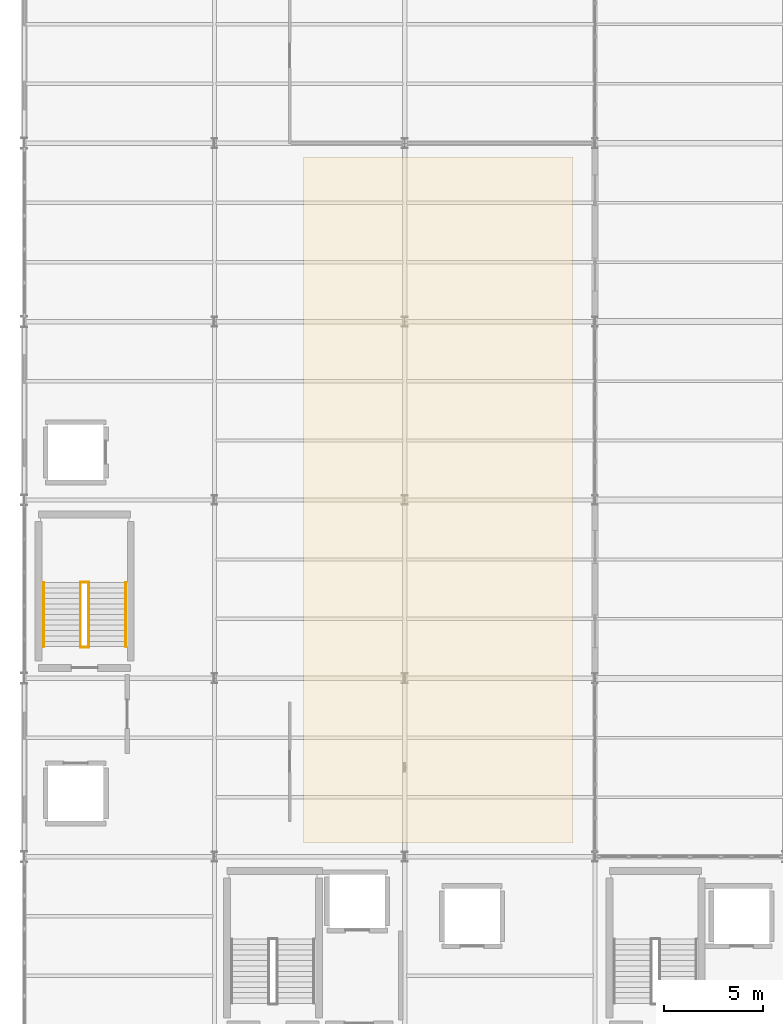
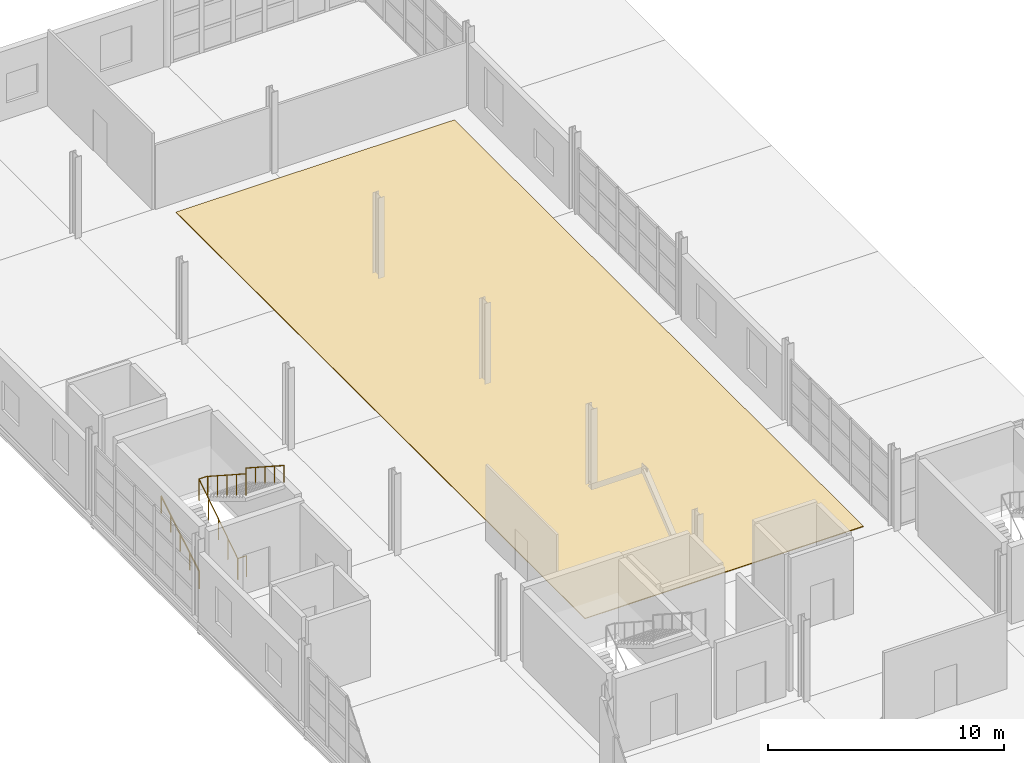
# One storey, part 78 of 82: 6 railings, 1 covering.
"""IFC4 building model written with IfcOpenShell, lengths in metres."""

from ifc_helpers import new_model, si_unit, direction, frame, origin, origin_2d, place, context, subcontext, project, spatial, polyline, circle, outline, extrude, material, layer, layer_set, type_object, element, save


model = new_model("IFC4")

# Units and contexts
model_context = context("Model", 3, precision=1e-05, world=origin(), true_north=direction((0.0, 1.0)))
body_context = subcontext(model_context, "Body", "Model", "MODEL_VIEW")
ifc_project = project(units=[si_unit("LENGTHUNIT", "METRE"), si_unit("AREAUNIT", "SQUARE_METRE"), si_unit("VOLUMEUNIT", "CUBIC_METRE"), si_unit("PLANEANGLEUNIT", "RADIAN"), si_unit("MASSUNIT", "GRAM", prefix="KILO")], contexts=[model_context])

# Site, building, storey
site_placement = place(None, origin())
site = spatial("IfcSite", under=ifc_project, at=site_placement, CompositionType="ELEMENT")
building_placement = place(site_placement, origin())
building = spatial("IfcBuilding", under=site, at=building_placement, Name="Zarnetskaya Central Station", CompositionType="ELEMENT")
storey_placement = place(building_placement, frame((0.0, 0.0, 10.199951171875)))
storey = spatial("IfcBuildingStorey", under=building, at=storey_placement, Name="L02", CompositionType="ELEMENT", Elevation=10.199951171875)

# Covering
ifc_material_1 = material(Name="Granite stone flooring", Category="masonry")
ifc_layer = layer(ifc_material_1, 0.0400390625, Name="Granite stone flooring", Category="masonry")
ifc_layer_set = layer_set([ifc_layer], Name="Granite stone flooring")
covering_type = type_object("IfcCoveringType", Name="COV-GRAN-FLR", PredefinedType="FLOORING", material=ifc_layer_set)
covering_placement = place(storey_placement, origin())
element("IfcCovering", 1, at=covering_placement, inside=storey, type_object=covering_type, Name="Granite terrazzo floor finish L02-421", PredefinedType="FLOORING", context=body_context, shape_type="SweptSolid", body=[
    extrude(outline(polyline([(14.10009765625, 22.89990234375), (27.699951171875, 22.89990234375), (27.699951171875, 57.5), (14.10009765625, 57.5), (14.10009765625, 22.89990234375)])), origin(), (0.0, 0.0, 1.0), 0.0400390625),
])

# Railings
ifc_material_2 = material(Name="Steel S355", Category="steel")
railing_type_1 = type_object("IfcRailingType", Name="RAIL-HAND-900", PredefinedType="HANDRAIL", material=ifc_material_2)
railing_1_placement = place(storey_placement, frame((0.97998046875, 32.800048828125, 0.16162109375)))
element("IfcRailing", 2, at=railing_1_placement, inside=storey, type_object=railing_type_1, Name="Stair ST-C2 L02 flight 1 handrail", PredefinedType="HANDRAIL", context=body_context, shape_type="SweptSolid", body=[
    extrude(circle(Radius=0.02392578125, at=origin_2d()), frame((0.0, 0.0, 0.8759765625), z_axis=(0.0, 0.858136976317, 0.513420811691), x_axis=(-1.0, 0.0, 0.0)), (0.0, 0.0, 1.0), 3.775634765625),
    extrude(circle(Radius=0.02099609375, at=origin_2d()), origin(), (0.0, 0.0, 1.0), 0.851806640625),
    extrude(circle(Radius=0.02099609375, at=origin_2d()), frame((0.0, 0.81005859375, 0.484619140625)), (0.0, 0.0, 1.0), 0.851806640625),
    extrude(circle(Radius=0.02099609375, at=origin_2d()), frame((0.0, 1.6201171875, 0.96923828125)), (0.0, 0.0, 1.0), 0.851806640625),
    extrude(circle(Radius=0.02099609375, at=origin_2d()), frame((0.0, 2.429931640625, 1.453857421875)), (0.0, 0.0, 1.0), 0.851806640625),
    extrude(circle(Radius=0.02099609375, at=origin_2d()), frame((0.0, 3.239990234375, 1.9384765625)), (0.0, 0.0, 1.0), 0.851806640625),
])
railing_2_placement = place(storey_placement, frame((5.1201171875, 36.0400390625, 2.10009765625)))
element("IfcRailing", 3, at=railing_2_placement, inside=storey, type_object=railing_type_1, Name="Stair ST-C2 L02 flight 2 handrail", PredefinedType="HANDRAIL", context=body_context, shape_type="SweptSolid", body=[
    extrude(circle(Radius=0.02392578125, at=origin_2d()), frame((0.0, 0.0, 0.8759765625), z_axis=(0.0, -0.839169554186, 0.543869891911), x_axis=(1.0, 0.0, 0.0)), (0.0, 0.0, 1.0), 3.86083984375),
    extrude(circle(Radius=0.02099609375, at=origin_2d()), origin(), (0.0, 0.0, 1.0), 0.851806640625),
    extrude(circle(Radius=0.02099609375, at=origin_2d()), frame((0.0, -0.81005859375, 0.52490234375)), (0.0, 0.0, 1.0), 0.851806640625),
    extrude(circle(Radius=0.02099609375, at=origin_2d()), frame((0.0, -1.6201171875, 1.0498046875)), (0.0, 0.0, 1.0), 0.851806640625),
    extrude(circle(Radius=0.02099609375, at=origin_2d()), frame((0.0, -2.429931640625, 1.574951171875)), (0.0, 0.0, 1.0), 0.851806640625),
    extrude(circle(Radius=0.02099609375, at=origin_2d()), frame((0.0, -3.239990234375, 2.099853515625)), (0.0, 0.0, 1.0), 0.851806640625),
])
railing_type_2 = type_object("IfcRailingType", Name="RAIL-STAIR-GRD", PredefinedType="BALUSTRADE", material=ifc_material_2)
railing_3_placement = place(storey_placement, frame((2.840087890625, 32.760009765625, 0.0)))
element("IfcRailing", 4, at=railing_3_placement, inside=storey, type_object=railing_type_2, Name="Stair ST-C2 L02 floor well guard", PredefinedType="BALUSTRADE", context=body_context, shape_type="SweptSolid", body=[
    extrude(circle(Radius=0.02392578125, at=origin_2d()), frame((0.0, 0.0, 1.09619140625), z_axis=(1.0, 0.0, 0.0), x_axis=(0.0, 1.0, 0.0)), (0.0, 0.0, 1.0), 0.419921875),
    extrude(circle(Radius=0.02099609375, at=origin_2d()), origin(), (0.0, 0.0, 1.0), 1.072021484375),
    extrude(circle(Radius=0.02099609375, at=origin_2d()), frame((0.419921875, 0.0, 0.0)), (0.0, 0.0, 1.0), 1.072021484375),
])
railing_4_placement = place(storey_placement, frame((2.840087890625, 32.800048828125, 0.0)))
element("IfcRailing", 5, at=railing_4_placement, inside=storey, type_object=railing_type_2, Name="Stair ST-C2 L02 flight 1 well guard", PredefinedType="BALUSTRADE", context=body_context, shape_type="SweptSolid", body=[
    extrude(circle(Radius=0.02392578125, at=origin_2d()), frame((0.0, 0.0, 1.09619140625), z_axis=(0.0, 0.839140694364, 0.543914418877), x_axis=(-1.0, 0.0, 0.0)), (0.0, 0.0, 1.0), 3.861083984375),
    extrude(circle(Radius=0.02099609375, at=origin_2d()), origin(), (0.0, 0.0, 1.0), 1.072021484375),
    extrude(circle(Radius=0.02099609375, at=origin_2d()), frame((0.0, 0.81005859375, 0.52490234375)), (0.0, 0.0, 1.0), 1.072021484375),
    extrude(circle(Radius=0.02099609375, at=origin_2d()), frame((0.0, 1.6201171875, 1.050048828125)), (0.0, 0.0, 1.0), 1.072021484375),
    extrude(circle(Radius=0.02099609375, at=origin_2d()), frame((0.0, 2.429931640625, 1.5751953125)), (0.0, 0.0, 1.0), 1.072021484375),
    extrude(circle(Radius=0.02099609375, at=origin_2d()), frame((0.0, 3.239990234375, 2.10009765625)), (0.0, 0.0, 1.0), 1.072021484375),
])
railing_5_placement = place(storey_placement, frame((2.840087890625, 36.06005859375, 2.10009765625)))
element("IfcRailing", 6, at=railing_5_placement, inside=storey, type_object=railing_type_2, Name="Stair ST-C2 L02 half-landing well guard", PredefinedType="BALUSTRADE", context=body_context, shape_type="SweptSolid", body=[
    extrude(circle(Radius=0.02392578125, at=origin_2d()), frame((0.0, 0.0, 1.09619140625), z_axis=(1.0, 0.0, 0.0), x_axis=(0.0, 1.0, 0.0)), (0.0, 0.0, 1.0), 0.419921875),
    extrude(circle(Radius=0.02099609375, at=origin_2d()), origin(), (0.0, 0.0, 1.0), 1.072021484375),
    extrude(circle(Radius=0.02099609375, at=origin_2d()), frame((0.419921875, 0.0, 0.0)), (0.0, 0.0, 1.0), 1.072021484375),
])
railing_6_placement = place(storey_placement, frame((3.260009765625, 36.0400390625, 2.10009765625)))
element("IfcRailing", 7, at=railing_6_placement, inside=storey, type_object=railing_type_2, Name="Stair ST-C2 L02 flight 2 well guard", PredefinedType="BALUSTRADE", context=body_context, shape_type="SweptSolid", body=[
    extrude(circle(Radius=0.02392578125, at=origin_2d()), frame((0.0, 0.0, 1.09619140625), z_axis=(0.0, -0.839169554186, 0.543869891911), x_axis=(1.0, 0.0, 0.0)), (0.0, 0.0, 1.0), 3.86083984375),
    extrude(circle(Radius=0.02099609375, at=origin_2d()), origin(), (0.0, 0.0, 1.0), 1.072021484375),
    extrude(circle(Radius=0.02099609375, at=origin_2d()), frame((0.0, -0.81005859375, 0.52490234375)), (0.0, 0.0, 1.0), 1.072021484375),
    extrude(circle(Radius=0.02099609375, at=origin_2d()), frame((0.0, -1.6201171875, 1.0498046875)), (0.0, 0.0, 1.0), 1.072021484375),
    extrude(circle(Radius=0.02099609375, at=origin_2d()), frame((0.0, -2.429931640625, 1.574951171875)), (0.0, 0.0, 1.0), 1.072021484375),
    extrude(circle(Radius=0.02099609375, at=origin_2d()), frame((0.0, -3.239990234375, 2.099853515625)), (0.0, 0.0, 1.0), 1.072021484375),
])

save(model, "model.ifc")
